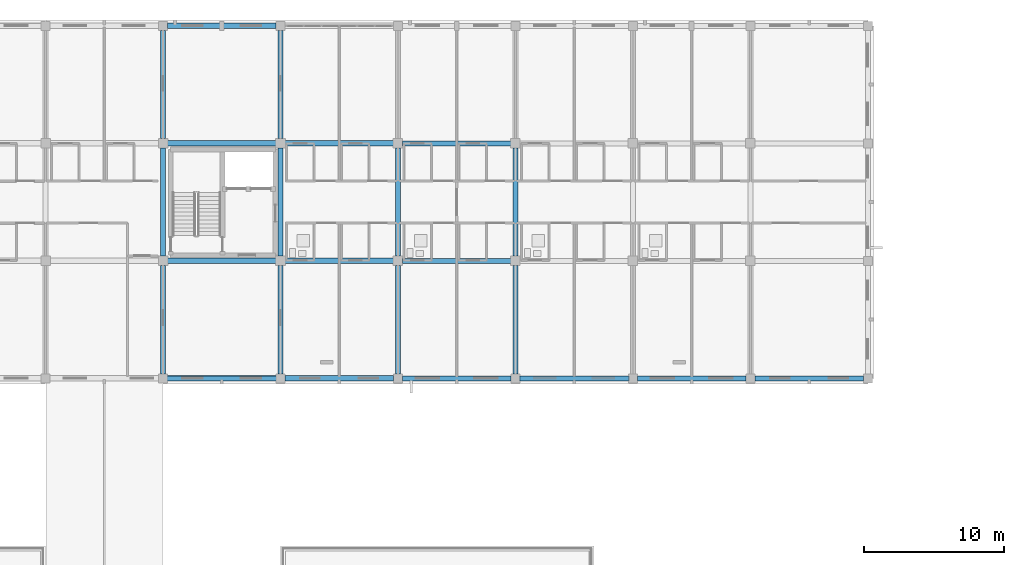
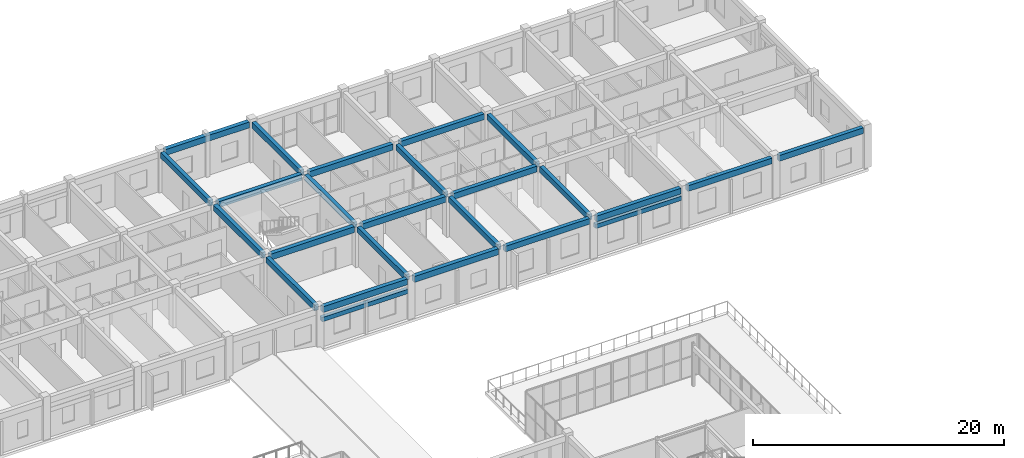
# One storey, part 50 of 90: 25 beams.
"""IFC4 building model written with IfcOpenShell, lengths in metres."""

from ifc_helpers import new_model, si_unit, direction, frame, origin, origin_2d, place, context, subcontext, project, spatial, rectangle, extrude, material, material_profile, profile_set, type_object, element, save


model = new_model("IFC4")

# Units and contexts
model_context = context("Model", 3, precision=1e-05, world=origin(), true_north=direction((0.0, 1.0)))
body_context = subcontext(model_context, "Body", "Model", "MODEL_VIEW")
ifc_project = project(units=[si_unit("LENGTHUNIT", "METRE"), si_unit("AREAUNIT", "SQUARE_METRE"), si_unit("VOLUMEUNIT", "CUBIC_METRE"), si_unit("PLANEANGLEUNIT", "RADIAN"), si_unit("MASSUNIT", "GRAM", prefix="KILO")], contexts=[model_context])

# Site, building, storey
site_placement = place(None, origin())
site = spatial("IfcSite", under=ifc_project, at=site_placement, CompositionType="ELEMENT")
building_placement = place(site_placement, origin())
building = spatial("IfcBuilding", under=site, at=building_placement, Name="Trelvath General Hospital", CompositionType="ELEMENT")
storey_placement = place(building_placement, frame((0.0, 0.0, 20.39990234375)))
storey = spatial("IfcBuildingStorey", under=building, at=storey_placement, Name="L05", CompositionType="ELEMENT", Elevation=20.39990234375)

# Beams
ifc_material_1 = material(Name="Concrete C35/45", Category="concrete")
ifc_material_profile_1 = material_profile(ifc_material_1, rectangle(XDim=0.35009765625, YDim=0.550048828125, at=origin_2d()), Name="RCB350x550")
ifc_profile_set_1 = profile_set([ifc_material_profile_1], Name="Concrete C35/45")
beam_type_1 = type_object("IfcBeamType", Name="Beam RC350x550", PredefinedType="BEAM", material=ifc_profile_set_1)
beam_1_placement = place(storey_placement, frame((84.0, 92.719970703125, 3.64501953125), z_axis=(0.0, 1.0, 0.0), x_axis=(-1.0, 0.0, 0.0)))
element("IfcBeam", 1, at=beam_1_placement, inside=storey, type_object=beam_type_1, Name="Grid Beam BY-510L", PredefinedType="BEAM", context=body_context, shape_type="SweptSolid", body=[
    extrude(rectangle(XDim=0.35009765625, YDim=0.550048828125, at=origin_2d()), origin(), (0.0, 0.0, 1.0), 7.7451171875),
])
beam_2_placement = place(storey_placement, frame((84.0, 101.135009765625, 3.64501953125), z_axis=(0.0, 1.0, 0.0), x_axis=(-1.0, 0.0, 0.0)))
element("IfcBeam", 2, at=beam_2_placement, inside=storey, type_object=beam_type_1, Name="Grid Beam BY-510M", PredefinedType="BEAM", context=body_context, shape_type="SweptSolid", body=[
    extrude(rectangle(XDim=0.35009765625, YDim=0.550048828125, at=origin_2d()), origin(), (0.0, 0.0, 1.0), 7.72998046875),
])
for number, where, z_axis, x_axis, name in (
    (3, (84.0, 109.534912109375, 3.64501953125), (0.0, 1.0, 0.0), (-1.0, 0.0, 0.0), "Grid Beam BY-510N"),
    (4, (92.39990234375, 92.719970703125, 3.64501953125), (0.0, 1.0, 0.0), (-1.0, 0.0, 0.0), "Grid Beam BY-511L"),
):
    element("IfcBeam", number, at=place(storey_placement, frame(where, z_axis=z_axis, x_axis=x_axis)), inside=storey, type_object=beam_type_1, Name=name, PredefinedType="BEAM", context=body_context, shape_type="SweptSolid", body=[
        extrude(rectangle(XDim=0.35009765625, YDim=0.550048828125, at=origin_2d()), origin(), (0.0, 0.0, 1.0), 7.7451171875),
    ])
beam_3_placement = place(storey_placement, frame((92.39990234375, 101.135009765625, 3.64501953125), z_axis=(0.0, 1.0, 0.0), x_axis=(-1.0, 0.0, 0.0)))
element("IfcBeam", 5, at=beam_3_placement, inside=storey, type_object=beam_type_1, Name="Grid Beam BY-511M", PredefinedType="BEAM", context=body_context, shape_type="SweptSolid", body=[
    extrude(rectangle(XDim=0.35009765625, YDim=0.550048828125, at=origin_2d()), origin(), (0.0, 0.0, 1.0), 7.72998046875),
])
for number, where, z_axis, x_axis, name in (
    (6, (92.39990234375, 109.534912109375, 3.64501953125), (0.0, 1.0, 0.0), (-1.0, 0.0, 0.0), "Grid Beam BY-511N"),
    (7, (100.800048828125, 92.719970703125, 3.64501953125), (0.0, 1.0, 0.0), (-1.0, 0.0, 0.0), "Grid Beam BY-512L"),
):
    element("IfcBeam", number, at=place(storey_placement, frame(where, z_axis=z_axis, x_axis=x_axis)), inside=storey, type_object=beam_type_1, Name=name, PredefinedType="BEAM", context=body_context, shape_type="SweptSolid", body=[
        extrude(rectangle(XDim=0.35009765625, YDim=0.550048828125, at=origin_2d()), origin(), (0.0, 0.0, 1.0), 7.7451171875),
    ])
beam_4_placement = place(storey_placement, frame((100.800048828125, 101.135009765625, 3.64501953125), z_axis=(0.0, 1.0, 0.0), x_axis=(-1.0, 0.0, 0.0)))
element("IfcBeam", 8, at=beam_4_placement, inside=storey, type_object=beam_type_1, Name="Grid Beam BY-512M", PredefinedType="BEAM", context=body_context, shape_type="SweptSolid", body=[
    extrude(rectangle(XDim=0.35009765625, YDim=0.550048828125, at=origin_2d()), origin(), (0.0, 0.0, 1.0), 7.72998046875),
])
beam_5_placement = place(storey_placement, frame((109.199951171875, 92.719970703125, 3.64501953125), z_axis=(0.0, 1.0, 0.0), x_axis=(-1.0, 0.0, 0.0)))
element("IfcBeam", 9, at=beam_5_placement, inside=storey, type_object=beam_type_1, Name="Grid Beam BY-513L", PredefinedType="BEAM", context=body_context, shape_type="SweptSolid", body=[
    extrude(rectangle(XDim=0.35009765625, YDim=0.550048828125, at=origin_2d()), origin(), (0.0, 0.0, 1.0), 7.7451171875),
])
beam_6_placement = place(storey_placement, frame((109.199951171875, 101.135009765625, 3.64501953125), z_axis=(0.0, 1.0, 0.0), x_axis=(-1.0, 0.0, 0.0)))
element("IfcBeam", 10, at=beam_6_placement, inside=storey, type_object=beam_type_1, Name="Grid Beam BY-513M", PredefinedType="BEAM", context=body_context, shape_type="SweptSolid", body=[
    extrude(rectangle(XDim=0.35009765625, YDim=0.550048828125, at=origin_2d()), origin(), (0.0, 0.0, 1.0), 7.72998046875),
])
ifc_material_2 = material(Name="Concrete C35/45", Category="concrete")
ifc_material_profile_2 = material_profile(ifc_material_2, rectangle(XDim=0.360107421875, YDim=0.56005859375, at=origin_2d()), Name="RCB360x560")
ifc_profile_set_2 = profile_set([ifc_material_profile_2], Name="Concrete C35/45")
beam_type_2 = type_object("IfcBeamType", Name="Beam RC360x560", PredefinedType="BEAM", material=ifc_profile_set_2)
beam_7_placement = place(storey_placement, frame((101.1201171875, 92.39990234375, 3.64013671875), z_axis=(1.0, 0.0, 0.0), x_axis=(0.0, 1.0, 0.0)))
element("IfcBeam", 11, at=beam_7_placement, inside=storey, type_object=beam_type_2, Name="Grid Beam BX-512L", PredefinedType="BEAM", context=body_context, shape_type="SweptSolid", body=[
    extrude(rectangle(XDim=0.360107421875, YDim=0.56005859375, at=origin_2d()), origin(), (0.0, 0.0, 1.0), 7.759765625),
])
for number, where, z_axis, x_axis, name in (
    (12, (101.135009765625, 100.800048828125, 3.64013671875), (1.0, 0.0, 0.0), (0.0, 1.0, 0.0), "Grid Beam BX-512M"),
    (13, (101.135009765625, 109.199951171875, 3.64013671875), (1.0, 0.0, 0.0), (0.0, 1.0, 0.0), "Grid Beam BX-512N"),
):
    element("IfcBeam", number, at=place(storey_placement, frame(where, z_axis=z_axis, x_axis=x_axis)), inside=storey, type_object=beam_type_2, Name=name, PredefinedType="BEAM", context=body_context, shape_type="SweptSolid", body=[
        extrude(rectangle(XDim=0.360107421875, YDim=0.56005859375, at=origin_2d()), origin(), (0.0, 0.0, 1.0), 7.72998046875),
    ])
for number, where, z_axis, x_axis, name in (
    (14, (109.52001953125, 92.39990234375, 3.64013671875), (1.0, 0.0, 0.0), (0.0, 1.0, 0.0), "Grid Beam BX-513L"),
    (15, (117.919921875, 92.39990234375, 3.64013671875), (1.0, 0.0, 0.0), (0.0, 1.0, 0.0), "Grid Beam BX-514L"),
    (16, (126.320068359375, 92.39990234375, 3.64013671875), (1.0, 0.0, 0.0), (0.0, 1.0, 0.0), "Grid Beam BX-515L"),
):
    element("IfcBeam", number, at=place(storey_placement, frame(where, z_axis=z_axis, x_axis=x_axis)), inside=storey, type_object=beam_type_2, Name=name, PredefinedType="BEAM", context=body_context, shape_type="SweptSolid", body=[
        extrude(rectangle(XDim=0.360107421875, YDim=0.56005859375, at=origin_2d()), origin(), (0.0, 0.0, 1.0), 7.760009765625),
    ])
ifc_material_3 = material(Name="Concrete C35/45", Category="concrete")
ifc_material_profile_3 = material_profile(ifc_material_3, rectangle(XDim=0.3798828125, YDim=0.580078125, at=origin_2d()), Name="RCB380x580")
ifc_profile_set_3 = profile_set([ifc_material_profile_3], Name="Concrete C35/45")
beam_type_3 = type_object("IfcBeamType", Name="Beam RC380x580", PredefinedType="BEAM", material=ifc_profile_set_3)
beam_8_placement = place(storey_placement, frame((84.320068359375, 92.39990234375, 3.630126953125), z_axis=(1.0, 0.0, 0.0), x_axis=(0.0, 1.0, 0.0)))
element("IfcBeam", 17, at=beam_8_placement, inside=storey, type_object=beam_type_3, Name="Grid Beam BX-510L", PredefinedType="BEAM", context=body_context, shape_type="SweptSolid", body=[
    extrude(rectangle(XDim=0.3798828125, YDim=0.580078125, at=origin_2d()), origin(), (0.0, 0.0, 1.0), 7.760009765625),
])
for number, where, z_axis, x_axis, name in (
    (18, (84.3349609375, 100.800048828125, 3.630126953125), (1.0, 0.0, 0.0), (0.0, 1.0, 0.0), "Grid Beam BX-510M"),
    (19, (84.3349609375, 109.199951171875, 3.630126953125), (1.0, 0.0, 0.0), (0.0, 1.0, 0.0), "Grid Beam BX-510N"),
):
    element("IfcBeam", number, at=place(storey_placement, frame(where, z_axis=z_axis, x_axis=x_axis)), inside=storey, type_object=beam_type_3, Name=name, PredefinedType="BEAM", context=body_context, shape_type="SweptSolid", body=[
        extrude(rectangle(XDim=0.3798828125, YDim=0.580078125, at=origin_2d()), origin(), (0.0, 0.0, 1.0), 7.72998046875),
    ])
for number, where, z_axis, x_axis, name in (
    (20, (84.320068359375, 117.60009765625, 3.630126953125), (1.0, 0.0, 0.0), (0.0, 1.0, 0.0), "Grid Beam BX-510O"),
    (21, (92.719970703125, 92.39990234375, 3.630126953125), (1.0, 0.0, 0.0), (0.0, 1.0, 0.0), "Grid Beam BX-511L"),
):
    element("IfcBeam", number, at=place(storey_placement, frame(where, z_axis=z_axis, x_axis=x_axis)), inside=storey, type_object=beam_type_3, Name=name, PredefinedType="BEAM", context=body_context, shape_type="SweptSolid", body=[
        extrude(rectangle(XDim=0.3798828125, YDim=0.580078125, at=origin_2d()), origin(), (0.0, 0.0, 1.0), 7.760009765625),
    ])
for number, where, z_axis, x_axis, name in (
    (22, (92.735107421875, 100.800048828125, 3.630126953125), (1.0, 0.0, 0.0), (0.0, 1.0, 0.0), "Grid Beam BX-511M"),
    (23, (92.735107421875, 109.199951171875, 3.630126953125), (1.0, 0.0, 0.0), (0.0, 1.0, 0.0), "Grid Beam BX-511N"),
):
    element("IfcBeam", number, at=place(storey_placement, frame(where, z_axis=z_axis, x_axis=x_axis)), inside=storey, type_object=beam_type_3, Name=name, PredefinedType="BEAM", context=body_context, shape_type="SweptSolid", body=[
        extrude(rectangle(XDim=0.3798828125, YDim=0.580078125, at=origin_2d()), origin(), (0.0, 0.0, 1.0), 7.72998046875),
    ])
ifc_material_4 = material(Name="Precast concrete C40/50", Category="concrete")
ifc_material_profile_4 = material_profile(ifc_material_4, rectangle(XDim=0.35009765625, YDim=0.419921875, at=origin_2d()), Name="PCL350x420")
ifc_profile_set_4 = profile_set([ifc_material_profile_4], Name="Precast concrete C40/50")
beam_type_4 = type_object("IfcBeamType", Name="Lintel PC350x420", PredefinedType="LINTEL", material=ifc_profile_set_4)
beam_9_placement = place(storey_placement, frame((92.159912109375, 92.39990234375, 2.670166015625), z_axis=(-1.0, 0.0, 0.0), x_axis=(0.0, -1.0, 0.0)))
element("IfcBeam", 24, at=beam_9_placement, inside=storey, type_object=beam_type_4, Name="Precast Window Brow Lintel L05-528", PredefinedType="LINTEL", context=body_context, shape_type="SweptSolid", body=[
    extrude(rectangle(XDim=0.35009765625, YDim=0.419921875, at=origin_2d()), origin(), (0.0, 0.0, 1.0), 7.919921875),
])
beam_10_placement = place(storey_placement, frame((117.360107421875, 92.39990234375, 2.920166015625), z_axis=(-1.0, 0.0, 0.0), x_axis=(0.0, -1.0, 0.0)))
element("IfcBeam", 25, at=beam_10_placement, inside=storey, type_object=beam_type_4, Name="Precast Window Brow Lintel L05-541", PredefinedType="LINTEL", context=body_context, shape_type="SweptSolid", body=[
    extrude(rectangle(XDim=0.35009765625, YDim=0.419921875, at=origin_2d()), origin(), (0.0, 0.0, 1.0), 7.920166015625),
])

save(model, "model.ifc")
